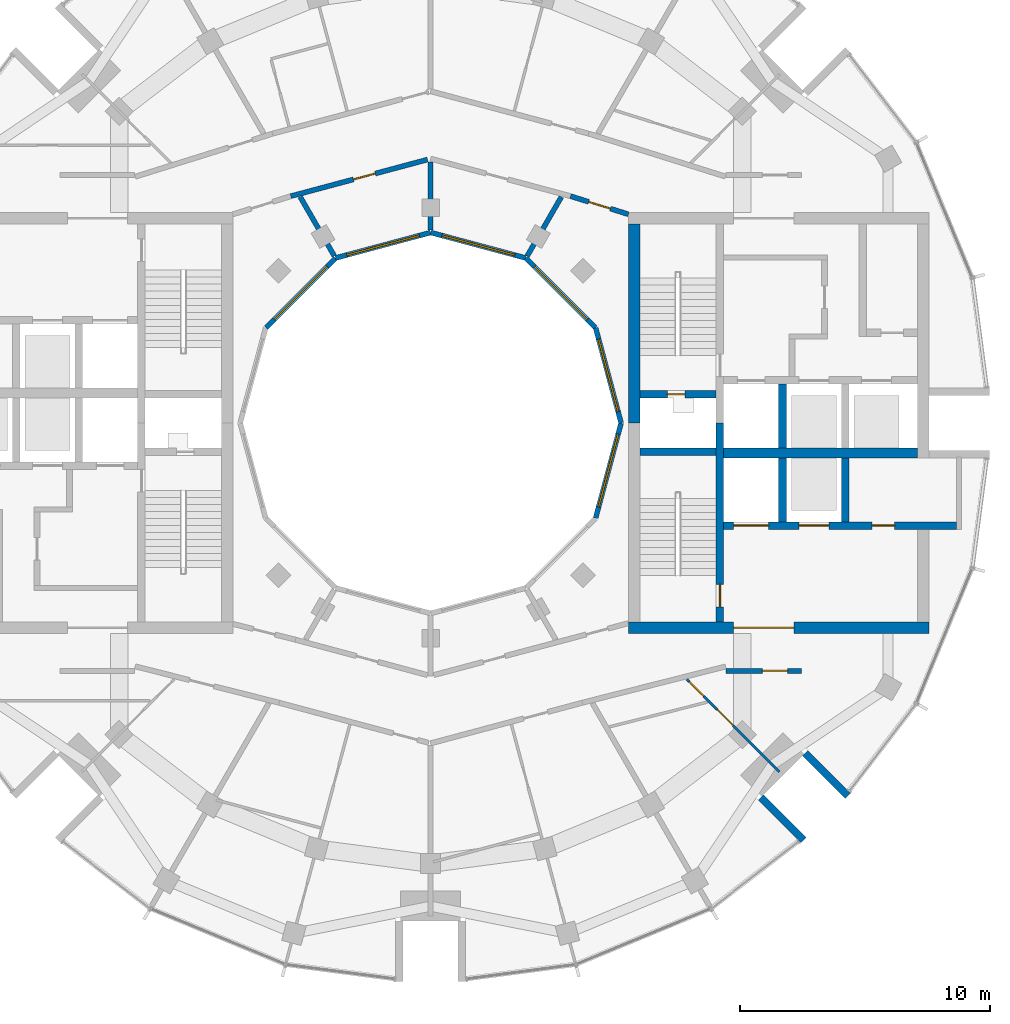
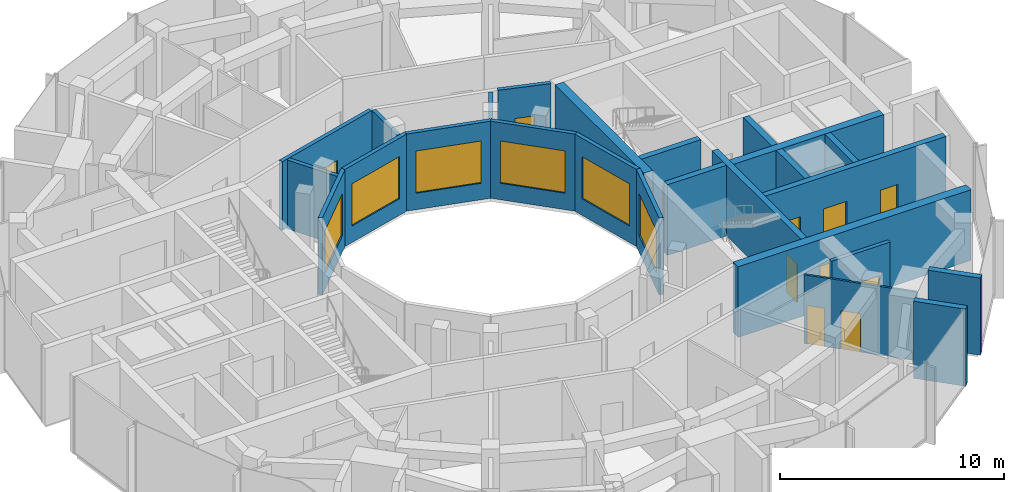
# One storey, part 10 of 14: 25 walls, 11 doors, 6 windows, 17 openings.
"""IFC4 building model written with IfcOpenShell, lengths in metres."""

from ifc_helpers import new_model, si_unit, direction, frame, frame_2d, origin, place, context, subcontext, project, spatial, rectangle, extrude, material, layer, layer_set, type_object, element, fill, save


model = new_model("IFC4")

# Units and contexts
model_context = context("Model", 3, precision=1e-05, world=origin(), true_north=direction((0.0, 1.0)))
body_context = subcontext(model_context, "Body", "Model", "MODEL_VIEW")
ifc_project = project(units=[si_unit("LENGTHUNIT", "METRE"), si_unit("AREAUNIT", "SQUARE_METRE"), si_unit("VOLUMEUNIT", "CUBIC_METRE"), si_unit("PLANEANGLEUNIT", "RADIAN"), si_unit("MASSUNIT", "GRAM", prefix="KILO")], contexts=[model_context])

# Site, building, storey
site_placement = place(None, origin())
site = spatial("IfcSite", under=ifc_project, at=site_placement, CompositionType="ELEMENT")
building_placement = place(site_placement, origin())
building = spatial("IfcBuilding", under=site, at=building_placement, Name="Torre Brocal", CompositionType="ELEMENT")
storey_placement = place(building_placement, frame((0.0, 0.0, 305.10009765625)))
storey = spatial("IfcBuildingStorey", under=building, at=storey_placement, Name="L70", CompositionType="ELEMENT", Elevation=305.10009765625)

# Wall, opening, door
ifc_material_1 = material(Name="Concrete C50", Category="concrete")
ifc_layer_1 = layer(ifc_material_1, 0.300048828125)
ifc_layer_set_1 = layer_set([ifc_layer_1], Name="Concrete C50")
wall_type_1 = type_object("IfcWallType", Name="CORE WALL 300 C50 UNDER 350 SLAB", PredefinedType="SHEAR", material=ifc_layer_set_1)
wall_1_placement = place(storey_placement, frame((91.550048828125, 67.050048828125, 0.0), z_axis=(0.0, 0.0, 1.0), x_axis=(0.0, 1.0, 0.0)))
wall_1 = element("IfcWall", 1, at=wall_1_placement, inside=storey, type_object=wall_type_1, Name="Wall CW300-50-S350", PredefinedType="SHEAR", context=body_context, shape_type="SweptSolid", body=[
    extrude(rectangle(XDim=7.949951171875, YDim=0.300048828125, at=frame_2d((3.97509765625, 0.0))), origin(), (0.0, 0.0, 1.0), 3.849853515625),
])
opening_1_placement = place(wall_1_placement, frame((0.60009765625, 0.0, 0.0)))
opening_1 = element("IfcOpeningElement", 2, at=opening_1_placement, cuts=wall_1, Name="Opening E-D03", PredefinedType="OPENING", context=body_context, shape_type="SweptSolid", body=[
    extrude(rectangle(XDim=0.89990234375, YDim=2.10009765625, at=frame_2d((0.449951171875, 1.050048828125))), frame((0.0, 0.159912109375, 0.0), z_axis=(0.0, -1.0, 0.0), x_axis=(1.0, 0.0, 0.0)), (0.0, 0.0, 1.0), 0.320068359375),
])
ifc_material_2 = material(Name="Steel A653", Category="steel")
door_type_1 = type_object("IfcDoorType", Name="STAIR DOOR FD120 900X2100", OperationType="SINGLE_SWING_RIGHT", PredefinedType="DOOR", material=ifc_material_2)
door_1_placement = place(opening_1_placement, origin())
door_1 = element("IfcDoor", 3, at=door_1_placement, inside=storey, type_object=door_type_1, Name="Door E-D03", OperationType="SINGLE_SWING_LEFT", OverallHeight=2.10009765625, OverallWidth=0.89990234375, PredefinedType="DOOR", context=body_context, shape_type="SweptSolid", body=[
    extrude(rectangle(XDim=0.89990234375, YDim=2.10009765625, at=frame_2d((0.449951171875, 1.050048828125))), frame((0.0, 0.02490234375, 0.0), z_axis=(0.0, -1.0, 0.0), x_axis=(1.0, 0.0, 0.0)), (0.0, 0.0, 1.0), 0.050048828125),
])
fill(opening_1, door_1)

wall_2_placement = place(storey_placement, frame((88.35009765625, 76.14990234375, 0.0), z_axis=(0.0, 0.0, 1.0), x_axis=(1.0, 0.0, 0.0)))
wall_2 = element("IfcWall", 4, at=wall_2_placement, inside=storey, type_object=wall_type_1, Name="Wall CW300-50-S350", PredefinedType="SHEAR", context=body_context, shape_type="SweptSolid", body=[
    extrude(rectangle(XDim=3.0498046875, YDim=0.300048828125, at=frame_2d((1.52490234375, 0.0))), origin(), (0.0, 0.0, 1.0), 3.849853515625),
])
opening_2_placement = place(wall_2_placement, frame((1.10009765625, 0.0, 0.0)))
opening_2 = element("IfcOpeningElement", 5, at=opening_2_placement, cuts=wall_2, Name="Opening E-D01", PredefinedType="OPENING", context=body_context, shape_type="SweptSolid", body=[
    extrude(rectangle(XDim=0.699951171875, YDim=2.0, at=frame_2d((0.35009765625, 1.0))), frame((0.0, 0.159912109375, 0.0), z_axis=(0.0, -1.0, 0.0), x_axis=(1.0, 0.0, 0.0)), (0.0, 0.0, 1.0), 0.320068359375),
])
ifc_material_3 = material(Name="Steel A653", Category="steel")
door_type_2 = type_object("IfcDoorType", Name="RISER DOOR FD120 700X2000", OperationType="SINGLE_SWING_LEFT", PredefinedType="DOOR", material=ifc_material_3)
door_2_placement = place(opening_2_placement, frame((0.699951171875, 0.0, 0.0), z_axis=(0.0, 0.0, 1.0), x_axis=(-1.0, 0.0, 0.0)))
door_2 = element("IfcDoor", 6, at=door_2_placement, inside=storey, type_object=door_type_2, Name="Door E-D01", OperationType="SINGLE_SWING_RIGHT", OverallHeight=2.0, OverallWidth=0.699951171875, PredefinedType="DOOR", context=body_context, shape_type="SweptSolid", body=[
    extrude(rectangle(XDim=0.699951171875, YDim=2.0, at=frame_2d((0.35009765625, 1.0))), frame((0.0, 0.02490234375, 0.0), z_axis=(0.0, -1.0, 0.0), x_axis=(1.0, 0.0, 0.0)), (0.0, 0.0, 1.0), 0.050048828125),
])
fill(opening_2, door_2)

# Wall
wall_3_placement = place(storey_placement, frame((88.35009765625, 73.85009765625, 0.0), z_axis=(0.0, 0.0, 1.0), x_axis=(1.0, 0.0, 0.0)))
element("IfcWall", 7, at=wall_3_placement, inside=storey, type_object=wall_type_1, Name="Wall CW300-50-S350", PredefinedType="SHEAR", context=body_context, shape_type="SweptSolid", body=[
    extrude(rectangle(XDim=3.0498046875, YDim=0.300048828125, at=frame_2d((1.52490234375, 0.0))), origin(), (0.0, 0.0, 1.0), 3.849853515625),
])

# Wall, openings, doors
wall_4_placement = place(storey_placement, frame((91.699951171875, 70.89990234375, 0.0), z_axis=(0.0, 0.0, 1.0), x_axis=(1.0, 0.0, 0.0)))
wall_4 = element("IfcWall", 8, at=wall_4_placement, inside=storey, type_object=wall_type_1, Name="Wall CW300-50-S350", PredefinedType="SHEAR", context=body_context, shape_type="SweptSolid", body=[
    extrude(rectangle(XDim=9.300048828125, YDim=0.300048828125, at=frame_2d((4.64990234375, 0.0))), origin(), (0.0, 0.0, 1.0), 3.849853515625),
])
opening_3_placement = place(wall_4_placement, frame((0.39990234375, 0.0, 0.0)))
opening_3 = element("IfcOpeningElement", 9, at=opening_3_placement, cuts=wall_4, Name="Opening LD14", PredefinedType="OPENING", context=body_context, shape_type="SweptSolid", body=[
    extrude(rectangle(XDim=1.39990234375, YDim=2.10009765625, at=frame_2d((0.699951171875, 1.050048828125))), frame((0.0, 0.159912109375, 0.0), z_axis=(0.0, -1.0, 0.0), x_axis=(1.0, 0.0, 0.0)), (0.0, 0.0, 1.0), 0.320068359375),
])
opening_4_placement = place(wall_4_placement, frame((3.0, 0.0, 0.0)))
opening_4 = element("IfcOpeningElement", 10, at=opening_4_placement, cuts=wall_4, Name="Opening LD12", PredefinedType="OPENING", context=body_context, shape_type="SweptSolid", body=[
    extrude(rectangle(XDim=1.199951171875, YDim=2.10009765625, at=frame_2d((0.60009765625, 1.050048828125))), frame((0.0, 0.159912109375, 0.0), z_axis=(0.0, -1.0, 0.0), x_axis=(1.0, 0.0, 0.0)), (0.0, 0.0, 1.0), 0.320068359375),
])
opening_5_placement = place(wall_4_placement, frame((5.925048828125, 0.0, 0.0)))
opening_5 = element("IfcOpeningElement", 11, at=opening_5_placement, cuts=wall_4, Name="Opening E-D04", PredefinedType="OPENING", context=body_context, shape_type="SweptSolid", body=[
    extrude(rectangle(XDim=0.89990234375, YDim=2.10009765625, at=frame_2d((0.449951171875, 1.050048828125))), frame((0.0, 0.159912109375, 0.0), z_axis=(0.0, -1.0, 0.0), x_axis=(1.0, 0.0, 0.0)), (0.0, 0.0, 1.0), 0.320068359375),
])
ifc_material_4 = material(Name="Stainless steel AISI 316", Category="steel")
door_type_3 = type_object("IfcDoorType", Name="LIFT LANDING DOOR 1200X2100", OperationType="DOUBLE_DOOR_SLIDING", PredefinedType="DOOR", material=ifc_material_4)
door_3_placement = place(opening_4_placement, origin())
door_3 = element("IfcDoor", 12, at=door_3_placement, inside=storey, type_object=door_type_3, Name="Door LD12", OperationType="DOUBLE_DOOR_SLIDING", OverallHeight=2.10009765625, OverallWidth=1.199951171875, PredefinedType="DOOR", context=body_context, shape_type="SweptSolid", body=[
    extrude(rectangle(XDim=1.199951171875, YDim=2.10009765625, at=frame_2d((0.60009765625, 1.050048828125))), frame((0.0, 0.02490234375, 0.0), z_axis=(0.0, -1.0, 0.0), x_axis=(1.0, 0.0, 0.0)), (0.0, 0.0, 1.0), 0.050048828125),
])
fill(opening_4, door_3)
ifc_material_5 = material(Name="Stainless steel AISI 316", Category="steel")
door_type_4 = type_object("IfcDoorType", Name="LIFT LANDING DOOR 1400X2100", OperationType="DOUBLE_DOOR_SLIDING", PredefinedType="DOOR", material=ifc_material_5)
door_4_placement = place(opening_3_placement, origin())
door_4 = element("IfcDoor", 13, at=door_4_placement, inside=storey, type_object=door_type_4, Name="Door LD14", OperationType="DOUBLE_DOOR_SLIDING", OverallHeight=2.10009765625, OverallWidth=1.39990234375, PredefinedType="DOOR", context=body_context, shape_type="SweptSolid", body=[
    extrude(rectangle(XDim=1.39990234375, YDim=2.10009765625, at=frame_2d((0.699951171875, 1.050048828125))), frame((0.0, 0.02490234375, 0.0), z_axis=(0.0, -1.0, 0.0), x_axis=(1.0, 0.0, 0.0)), (0.0, 0.0, 1.0), 0.050048828125),
])
fill(opening_3, door_4)
ifc_material_6 = material(Name="Steel A653", Category="steel")
door_type_5 = type_object("IfcDoorType", Name="ROOM DOOR FD30S 900X2100", OperationType="SINGLE_SWING_LEFT", PredefinedType="DOOR", material=ifc_material_6)
door_5_placement = place(opening_5_placement, origin())
door_5 = element("IfcDoor", 14, at=door_5_placement, inside=storey, type_object=door_type_5, Name="Door E-D04", OperationType="SINGLE_SWING_LEFT", OverallHeight=2.10009765625, OverallWidth=0.89990234375, PredefinedType="DOOR", context=body_context, shape_type="SweptSolid", body=[
    extrude(rectangle(XDim=0.89990234375, YDim=2.10009765625, at=frame_2d((0.449951171875, 1.050048828125))), frame((0.0, 0.02490234375, 0.0), z_axis=(0.0, -1.0, 0.0), x_axis=(1.0, 0.0, 0.0)), (0.0, 0.0, 1.0), 0.050048828125),
])
fill(opening_5, door_5)

# Walls
for number, where, z_axis, x_axis, name in (
    (15, (94.050048828125, 74.0, 0.0), (0.0, 0.0, 1.0), (0.0, 1.0, 0.0), "Wall CW300-50-S350"),
    (16, (94.050048828125, 71.050048828125, 0.0), (0.0, 0.0, 1.0), (0.0, 1.0, 0.0), "Wall CW300-50-S350"),
    (17, (96.550048828125, 71.050048828125, 0.0), (0.0, 0.0, 1.0), (0.0, 1.0, 0.0), "Wall CW300-50-S350"),
):
    element("IfcWall", number, at=place(storey_placement, frame(where, z_axis=z_axis, x_axis=x_axis)), inside=storey, type_object=wall_type_1, Name=name, PredefinedType="SHEAR", context=body_context, shape_type="SweptSolid", body=[
        extrude(rectangle(XDim=2.550048828125, YDim=0.300048828125, at=frame_2d((1.27490234375, 0.0))), origin(), (0.0, 0.0, 1.0), 3.849853515625),
    ])
ifc_material_7 = material(Name="Concrete C50", Category="concrete")
ifc_layer_2 = layer(ifc_material_7, 0.39990234375)
ifc_layer_set_2 = layer_set([ifc_layer_2], Name="Concrete C50")
wall_type_2 = type_object("IfcWallType", Name="CORE WALL 400 C50 UNDER 350 SLAB", PredefinedType="SHEAR", material=ifc_layer_set_2)
wall_5_placement = place(storey_placement, frame((91.699951171875, 73.800048828125, 0.0), z_axis=(0.0, 0.0, 1.0), x_axis=(1.0, 0.0, 0.0)))
element("IfcWall", 18, at=wall_5_placement, inside=storey, type_object=wall_type_2, Name="Wall CW400-50-S350", PredefinedType="SHEAR", context=body_context, shape_type="SweptSolid", body=[
    extrude(rectangle(XDim=7.75, YDim=0.39990234375, at=frame_2d((3.875, 0.0))), origin(), (0.0, 0.0, 1.0), 3.849853515625),
])

# Wall, opening, door
ifc_material_8 = material(Name="Concrete C50", Category="concrete")
ifc_layer_3 = layer(ifc_material_8, 0.449951171875)
ifc_layer_set_3 = layer_set([ifc_layer_3], Name="Concrete C50")
wall_type_3 = type_object("IfcWallType", Name="CORE WALL 450 C50 UNDER 350 SLAB", PredefinedType="SHEAR", material=ifc_layer_set_3)
wall_6_placement = place(storey_placement, frame((87.89990234375, 66.824951171875, 0.0), z_axis=(0.0, 0.0, 1.0), x_axis=(1.0, 0.0, 0.0)))
wall_6 = element("IfcWall", 19, at=wall_6_placement, inside=storey, type_object=wall_type_3, Name="Wall CW450-50-S350", PredefinedType="SHEAR", context=body_context, shape_type="SweptSolid", body=[
    extrude(rectangle(XDim=12.0, YDim=0.449951171875, at=frame_2d((6.0, 0.0))), origin(), (0.0, 0.0, 1.0), 3.849853515625),
])
opening_6_placement = place(wall_6_placement, frame((4.199951171875, 0.0, 0.0)))
opening_6 = element("IfcOpeningElement", 20, at=opening_6_placement, cuts=wall_6, Name="Opening E-D27", PredefinedType="OPENING", context=body_context, shape_type="SweptSolid", body=[
    extrude(rectangle(XDim=2.39990234375, YDim=2.39990234375, at=frame_2d((1.199951171875, 1.199951171875))), frame((0.0, 0.23486328125, 0.0), z_axis=(0.0, -1.0, 0.0), x_axis=(1.0, 0.0, 0.0)), (0.0, 0.0, 1.0), 0.469970703125),
])
ifc_material_9 = material(Name="Steel A653", Category="steel")
door_type_6 = type_object("IfcDoorType", Name="DOUBLE FIRE DOOR FD90 2400X2400", OperationType="DOUBLE_DOOR_SINGLE_SWING", PredefinedType="DOOR", material=ifc_material_9)
door_6_placement = place(opening_6_placement, origin())
door_6 = element("IfcDoor", 21, at=door_6_placement, inside=storey, type_object=door_type_6, Name="Door E-D27", OperationType="DOUBLE_DOOR_SINGLE_SWING", OverallHeight=2.39990234375, OverallWidth=2.39990234375, PredefinedType="DOOR", context=body_context, shape_type="SweptSolid", body=[
    extrude(rectangle(XDim=2.39990234375, YDim=2.39990234375, at=frame_2d((1.199951171875, 1.199951171875))), frame((0.0, 0.02490234375, 0.0), z_axis=(0.0, -1.0, 0.0), x_axis=(1.0, 0.0, 0.0)), (0.0, 0.0, 1.0), 0.050048828125),
])
fill(opening_6, door_6)

# Walls
wall_7_placement = place(storey_placement, frame((88.125, 75.0, 0.0), z_axis=(0.0, 0.0, 1.0), x_axis=(0.0, 1.0, 0.0)))
element("IfcWall", 22, at=wall_7_placement, inside=storey, type_object=wall_type_3, Name="Wall CW450-50-S350", PredefinedType="SHEAR", context=body_context, shape_type="SweptSolid", body=[
    extrude(rectangle(XDim=7.949951171875, YDim=0.449951171875, at=frame_2d((3.97509765625, 0.0))), origin(), (0.0, 0.0, 1.0), 3.849853515625),
])
ifc_material_10 = material(Name="Concrete C50", Category="concrete")
ifc_layer_4 = layer(ifc_material_10, 0.300048828125)
ifc_layer_set_4 = layer_set([ifc_layer_4], Name="Concrete C50")
wall_type_4 = type_object("IfcWallType", Name="NOTCH RETURN WALL 300 C50", PredefinedType="NOTDEFINED", material=ifc_layer_set_4)
for number, where, z_axis, x_axis, name in (
    (23, (93.1875, 60.044677734375, 0.0), (0.0, 0.0, 1.0), (0.707106781187, -0.707106781187, 0.0), "NOTCH RETURN WALL"),
    (24, (94.955322265625, 61.8125, 0.0), (0.0, 0.0, 1.0), (0.707106781187, -0.707106781187, 0.0), "NOTCH RETURN WALL"),
):
    element("IfcWall", number, at=place(storey_placement, frame(where, z_axis=z_axis, x_axis=x_axis)), inside=storey, type_object=wall_type_4, Name=name, PredefinedType="NOTDEFINED", context=body_context, shape_type="SweptSolid", body=[
        extrude(rectangle(XDim=2.415771484375, YDim=0.300048828125, at=frame_2d((1.2080078125, 0.0))), origin(), (0.0, 0.0, 1.0), 4.199951171875),
    ])

# Wall, openings, doors
ifc_material_11 = material(Name="Gypsum board", Category="Gypsum")
ifc_layer_5 = layer(ifc_material_11, 0.10009765625)
ifc_layer_set_5 = layer_set([ifc_layer_5], Name="Gypsum board")
wall_type_5 = type_object("IfcWallType", Name="PARTITION 100", PredefinedType="PARTITIONING", material=ifc_layer_set_5)
wall_8_placement = place(storey_placement, frame((90.23681640625, 64.7587890625, 0.0), z_axis=(0.0, 0.0, 1.0), x_axis=(0.706966449742, -0.707247084787, 0.0)))
wall_8 = element("IfcWall", 25, at=wall_8_placement, inside=storey, type_object=wall_type_5, Name="BATHROOM WALL", PredefinedType="PARTITIONING", context=body_context, shape_type="SweptSolid", body=[
    extrude(rectangle(XDim=5.2197265625, YDim=0.10009765625, at=frame_2d((2.60986328125, 0.0))), origin(), (0.0, 0.0, 1.0), 3.75),
])
opening_7_placement = place(wall_8_placement, frame((1.7021484375, 0.0, 0.0)))
opening_7 = element("IfcOpeningElement", 26, at=opening_7_placement, cuts=wall_8, Name="Opening N04-D18", PredefinedType="OPENING", context=body_context, shape_type="SweptSolid", body=[
    extrude(rectangle(XDim=0.89990234375, YDim=2.10009765625, at=frame_2d((0.449951171875, 1.050048828125))), frame((0.0, 0.06005859375, 0.0), z_axis=(0.0, -1.0, 0.0), x_axis=(1.0, 0.0, 0.0)), (0.0, 0.0, 1.0), 0.1201171875),
])
opening_8_placement = place(wall_8_placement, frame((0.138916015625, 0.0, 0.0)))
opening_8 = element("IfcOpeningElement", 27, at=opening_8_placement, cuts=wall_8, Name="Opening N04-D19", PredefinedType="OPENING", context=body_context, shape_type="SweptSolid", body=[
    extrude(rectangle(XDim=0.800048828125, YDim=2.10009765625, at=frame_2d((0.39990234375, 1.050048828125))), frame((0.0, 0.06005859375, 0.0), z_axis=(0.0, -1.0, 0.0), x_axis=(1.0, 0.0, 0.0)), (0.0, 0.0, 1.0), 0.1201171875),
])
ifc_material_12 = material(Name="Timber", Category="wood")
door_type_7 = type_object("IfcDoorType", Name="BATHROOM DOOR 800X2100", OperationType="SINGLE_SWING_LEFT", PredefinedType="DOOR", material=ifc_material_12)
door_7_placement = place(opening_8_placement, frame((0.800048828125, 0.0, 0.0), z_axis=(0.0, 0.0, 1.0), x_axis=(-1.0, 0.0, 0.0)))
door_7 = element("IfcDoor", 28, at=door_7_placement, inside=storey, type_object=door_type_7, Name="N04-D19", OperationType="SINGLE_SWING_RIGHT", OverallHeight=2.10009765625, OverallWidth=0.800048828125, PredefinedType="DOOR", context=body_context, shape_type="SweptSolid", body=[
    extrude(rectangle(XDim=0.800048828125, YDim=2.10009765625, at=frame_2d((0.39990234375, 1.050048828125))), frame((0.0, 0.02490234375, 0.0), z_axis=(0.0, -1.0, 0.0), x_axis=(1.0, 0.0, 0.0)), (0.0, 0.0, 1.0), 0.050048828125),
])
fill(opening_8, door_7)
ifc_material_13 = material(Name="Timber", Category="wood")
door_type_8 = type_object("IfcDoorType", Name="ROOM DOOR 900X2100", OperationType="SINGLE_SWING_LEFT", PredefinedType="DOOR", material=ifc_material_13)
door_8_placement = place(opening_7_placement, origin())
door_8 = element("IfcDoor", 29, at=door_8_placement, inside=storey, type_object=door_type_8, Name="N04-D18", OperationType="SINGLE_SWING_RIGHT", OverallHeight=2.10009765625, OverallWidth=0.89990234375, PredefinedType="DOOR", context=body_context, shape_type="SweptSolid", body=[
    extrude(rectangle(XDim=0.89990234375, YDim=2.10009765625, at=frame_2d((0.449951171875, 1.050048828125))), frame((0.0, 0.02490234375, 0.0), z_axis=(0.0, -1.0, 0.0), x_axis=(1.0, 0.0, 0.0)), (0.0, 0.0, 1.0), 0.050048828125),
])
fill(opening_7, door_8)

# Wall, opening, door
ifc_material_14 = material(Name="Gypsum board", Category="Gypsum")
ifc_layer_6 = layer(ifc_material_14, 0.199951171875)
ifc_layer_set_6 = layer_set([ifc_layer_6], Name="Gypsum board")
wall_type_6 = type_object("IfcWallType", Name="PARTITION 200 EI60", PredefinedType="PARTITIONING", material=ifc_layer_set_6)
wall_9_placement = place(storey_placement, frame((74.4130859375, 84.056884765625, 0.0), z_axis=(0.0, 0.0, 1.0), x_axis=(0.965972135939, 0.258646153246, 0.0)))
wall_9 = element("IfcWall", 30, at=wall_9_placement, inside=storey, type_object=wall_type_6, Name="CORRIDOR WALL", PredefinedType="PARTITIONING", context=body_context, shape_type="SweptSolid", body=[
    extrude(rectangle(XDim=5.654052734375, YDim=0.199951171875, at=frame_2d((2.8271484375, 0.0))), origin(), (0.0, 0.0, 1.0), 3.75),
])
opening_9_placement = place(wall_9_placement, frame((2.5927734375, 0.0, 0.0)))
opening_9 = element("IfcOpeningElement", 31, at=opening_9_placement, cuts=wall_9, Name="Opening N04-D15", PredefinedType="OPENING", context=body_context, shape_type="SweptSolid", body=[
    extrude(rectangle(XDim=0.89990234375, YDim=2.10009765625, at=frame_2d((0.449951171875, 1.050048828125))), frame((0.0, 0.10986328125, 0.0), z_axis=(0.0, -1.0, 0.0), x_axis=(1.0, 0.0, 0.0)), (0.0, 0.0, 1.0), 0.219970703125),
])
door_9_placement = place(opening_9_placement, frame((0.89990234375, 0.0, 0.0), z_axis=(0.0, 0.0, 1.0), x_axis=(-1.0, 0.0, 0.0)))
door_9 = element("IfcDoor", 32, at=door_9_placement, inside=storey, type_object=door_type_8, Name="N04-D15", OperationType="SINGLE_SWING_RIGHT", OverallHeight=2.10009765625, OverallWidth=0.89990234375, PredefinedType="DOOR", context=body_context, shape_type="SweptSolid", body=[
    extrude(rectangle(XDim=0.89990234375, YDim=2.10009765625, at=frame_2d((0.449951171875, 1.050048828125))), frame((0.0, 0.02490234375, 0.0), z_axis=(0.0, -1.0, 0.0), x_axis=(1.0, 0.0, 0.0)), (0.0, 0.0, 1.0), 0.050048828125),
])
fill(opening_9, door_9)

# Walls
wall_10_placement = place(storey_placement, frame((74.789306640625, 84.028076171875, 0.0), z_axis=(0.0, 0.0, 1.0), x_axis=(0.499838769631, -0.866118470172, 0.0)))
element("IfcWall", 33, at=wall_10_placement, inside=storey, type_object=wall_type_6, Name="PARTY PARTITION", PredefinedType="PARTITIONING", context=body_context, shape_type="SweptSolid", body=[
    extrude(rectangle(XDim=2.7255859375, YDim=0.199951171875, at=frame_2d((1.36279296875, 0.0))), origin(), (0.0, 0.0, 1.0), 3.75),
])
wall_11_placement = place(storey_placement, frame((80.0, 82.698974609375, 0.0), z_axis=(0.0, 0.0, 1.0), x_axis=(0.0, 1.0, 0.0)))
element("IfcWall", 34, at=wall_11_placement, inside=storey, type_object=wall_type_6, Name="PARTY PARTITION", PredefinedType="PARTITIONING", context=body_context, shape_type="SweptSolid", body=[
    extrude(rectangle(XDim=2.72509765625, YDim=0.199951171875, at=frame_2d((1.362548828125, 0.0))), origin(), (0.0, 0.0, 1.0), 3.75),
])
wall_12_placement = place(storey_placement, frame((83.8525390625, 81.6650390625, 0.0), z_axis=(0.0, 0.0, 1.0), x_axis=(0.50035818211, 0.865818508462, 0.0)))
element("IfcWall", 35, at=wall_12_placement, inside=storey, type_object=wall_type_6, Name="PARTY PARTITION", PredefinedType="PARTITIONING", context=body_context, shape_type="SweptSolid", body=[
    extrude(rectangle(XDim=2.7255859375, YDim=0.199951171875, at=frame_2d((1.36279296875, 0.0))), origin(), (0.0, 0.0, 1.0), 3.75),
])

# Wall, opening, door
wall_13_placement = place(storey_placement, frame((85.5869140625, 84.056884765625, 0.0), z_axis=(0.0, 0.0, 1.0), x_axis=(0.954239513179, -0.299043393987, 0.0)))
wall_13 = element("IfcWall", 36, at=wall_13_placement, inside=storey, type_object=wall_type_6, Name="CORRIDOR WALL", PredefinedType="PARTITIONING", context=body_context, shape_type="SweptSolid", body=[
    extrude(rectangle(XDim=2.423828125, YDim=0.199951171875, at=frame_2d((1.2119140625, 0.0))), origin(), (0.0, 0.0, 1.0), 3.75),
])
opening_10_placement = place(wall_13_placement, frame((0.761962890625, 0.0, 0.0)))
opening_10 = element("IfcOpeningElement", 37, at=opening_10_placement, cuts=wall_13, Name="Opening N04-D13", PredefinedType="OPENING", context=body_context, shape_type="SweptSolid", body=[
    extrude(rectangle(XDim=0.89990234375, YDim=2.10009765625, at=frame_2d((0.449951171875, 1.050048828125))), frame((0.0, 0.10986328125, 0.0), z_axis=(0.0, -1.0, 0.0), x_axis=(1.0, 0.0, 0.0)), (0.0, 0.0, 1.0), 0.219970703125),
])
door_10_placement = place(opening_10_placement, frame((0.89990234375, 0.0, 0.0), z_axis=(0.0, 0.0, 1.0), x_axis=(-1.0, 0.0, 0.0)))
door_10 = element("IfcDoor", 38, at=door_10_placement, inside=storey, type_object=door_type_8, Name="N04-D13", OperationType="SINGLE_SWING_LEFT", OverallHeight=2.10009765625, OverallWidth=0.89990234375, PredefinedType="DOOR", context=body_context, shape_type="SweptSolid", body=[
    extrude(rectangle(XDim=0.89990234375, YDim=2.10009765625, at=frame_2d((0.449951171875, 1.050048828125))), frame((0.0, 0.02490234375, 0.0), z_axis=(0.0, -1.0, 0.0), x_axis=(1.0, 0.0, 0.0)), (0.0, 0.0, 1.0), 0.050048828125),
])
fill(opening_10, door_10)

wall_14_placement = place(storey_placement, frame((91.800048828125, 65.10009765625, 0.0), z_axis=(0.0, 0.0, 1.0), x_axis=(1.0, 0.0, 0.0)))
wall_14 = element("IfcWall", 39, at=wall_14_placement, inside=storey, type_object=wall_type_6, Name="FLAT ENTRANCE WALL", PredefinedType="PARTITIONING", context=body_context, shape_type="SweptSolid", body=[
    extrude(rectangle(XDim=3.0, YDim=0.199951171875, at=frame_2d((1.5, 0.0))), origin(), (0.0, 0.0, 1.0), 3.75),
])
opening_11_placement = place(wall_14_placement, frame((1.449951171875, 0.0, 0.0)))
opening_11 = element("IfcOpeningElement", 40, at=opening_11_placement, cuts=wall_14, Name="Opening N04-D17", PredefinedType="OPENING", context=body_context, shape_type="SweptSolid", body=[
    extrude(rectangle(XDim=1.0, YDim=2.10009765625, at=frame_2d((0.5, 1.050048828125))), frame((0.0, 0.10986328125, 0.0), z_axis=(0.0, -1.0, 0.0), x_axis=(1.0, 0.0, 0.0)), (0.0, 0.0, 1.0), 0.219970703125),
])
ifc_material_15 = material(Name="Timber", Category="wood")
door_type_9 = type_object("IfcDoorType", Name="FLAT ENTRY DOOR FD30S 1000X2100", OperationType="SINGLE_SWING_RIGHT", PredefinedType="DOOR", material=ifc_material_15)
door_11_placement = place(opening_11_placement, frame((1.0, 0.0, 0.0), z_axis=(0.0, 0.0, 1.0), x_axis=(-1.0, 0.0, 0.0)))
door_11 = element("IfcDoor", 41, at=door_11_placement, inside=storey, type_object=door_type_9, Name="N04-D17", OperationType="SINGLE_SWING_RIGHT", OverallHeight=2.10009765625, OverallWidth=1.0, PredefinedType="DOOR", context=body_context, shape_type="SweptSolid", body=[
    extrude(rectangle(XDim=1.0, YDim=2.10009765625, at=frame_2d((0.5, 1.050048828125))), frame((0.0, 0.02490234375, 0.0), z_axis=(0.0, -1.0, 0.0), x_axis=(1.0, 0.0, 0.0)), (0.0, 0.0, 1.0), 0.050048828125),
])
fill(opening_11, door_11)

# Wall, opening, window
ifc_material_16 = material(Name="Concrete C40", Category="concrete")
ifc_layer_7 = layer(ifc_material_16, 0.199951171875)
ifc_layer_set_7 = layer_set([ifc_layer_7], Name="Concrete C40")
wall_type_7 = type_object("IfcWallType", Name="WELL FACADE WALL 200", PredefinedType="NOTDEFINED", material=ifc_layer_set_7)
wall_15_placement = place(storey_placement, frame((87.603515625, 75.0, 0.0), z_axis=(0.0, 0.0, 1.0), x_axis=(-0.258789828301, 0.965933654434, 0.0)))
wall_15 = element("IfcWall", 42, at=wall_15_placement, inside=storey, type_object=wall_type_7, Name="WELL FACADE WALL", PredefinedType="NOTDEFINED", context=body_context, shape_type="SweptSolid", body=[
    extrude(rectangle(XDim=3.935791015625, YDim=0.199951171875, at=frame_2d((1.9677734375, 0.0))), origin(), (0.0, 0.0, 1.0), 4.199951171875),
])
opening_12_placement = place(wall_15_placement, frame((0.468017578125, 0.0, 0.89990234375)))
opening_12 = element("IfcOpeningElement", 43, at=opening_12_placement, cuts=wall_15, Name="Opening W1", PredefinedType="OPENING", context=body_context, shape_type="SweptSolid", body=[
    extrude(rectangle(XDim=3.0, YDim=2.300048828125, at=frame_2d((1.5, 1.14990234375))), frame((0.0, 0.10986328125, 0.0), z_axis=(0.0, -1.0, 0.0), x_axis=(1.0, 0.0, 0.0)), (0.0, 0.0, 1.0), 0.219970703125),
])
ifc_material_17 = material(Name="Aluminium and glass", Category="aluminium")
window_type = type_object("IfcWindowType", Name="WELL WINDOW 3000X2300", PartitioningType="SINGLE_PANEL", PredefinedType="WINDOW", material=ifc_material_17)
window_1_placement = place(opening_12_placement, origin())
window_1 = element("IfcWindow", 44, at=window_1_placement, inside=storey, type_object=window_type, Name="WELL WINDOW 3000X2300", OverallHeight=2.300048828125, OverallWidth=3.0, PartitioningType="SINGLE_PANEL", PredefinedType="WINDOW", context=body_context, shape_type="SweptSolid", body=[
    extrude(rectangle(XDim=3.0, YDim=2.300048828125, at=frame_2d((1.5, 1.14990234375))), frame((0.0, 0.030029296875, 0.0), z_axis=(0.0, -1.0, 0.0), x_axis=(1.0, 0.0, 0.0)), (0.0, 0.0, 1.0), 0.06005859375),
])
fill(opening_12, window_1)

wall_16_placement = place(storey_placement, frame((86.5849609375, 78.8017578125, 0.0), z_axis=(0.0, 0.0, 1.0), x_axis=(-0.707106781187, 0.707106781187, 0.0)))
wall_16 = element("IfcWall", 45, at=wall_16_placement, inside=storey, type_object=wall_type_7, Name="WELL FACADE WALL", PredefinedType="NOTDEFINED", context=body_context, shape_type="SweptSolid", body=[
    extrude(rectangle(XDim=3.93603515625, YDim=0.199951171875, at=frame_2d((1.968017578125, 0.0))), origin(), (0.0, 0.0, 1.0), 4.199951171875),
])
opening_13_placement = place(wall_16_placement, frame((0.468017578125, 0.0, 0.89990234375)))
opening_13 = element("IfcOpeningElement", 46, at=opening_13_placement, cuts=wall_16, Name="Opening W1", PredefinedType="OPENING", context=body_context, shape_type="SweptSolid", body=[
    extrude(rectangle(XDim=3.0, YDim=2.300048828125, at=frame_2d((1.5, 1.14990234375))), frame((0.0, 0.10986328125, 0.0), z_axis=(0.0, -1.0, 0.0), x_axis=(1.0, 0.0, 0.0)), (0.0, 0.0, 1.0), 0.219970703125),
])
window_2_placement = place(opening_13_placement, origin())
window_2 = element("IfcWindow", 47, at=window_2_placement, inside=storey, type_object=window_type, Name="WELL WINDOW 3000X2300", OverallHeight=2.300048828125, OverallWidth=3.0, PartitioningType="SINGLE_PANEL", PredefinedType="WINDOW", context=body_context, shape_type="SweptSolid", body=[
    extrude(rectangle(XDim=3.0, YDim=2.300048828125, at=frame_2d((1.5, 1.14990234375))), frame((0.0, 0.030029296875, 0.0), z_axis=(0.0, -1.0, 0.0), x_axis=(1.0, 0.0, 0.0)), (0.0, 0.0, 1.0), 0.06005859375),
])
fill(opening_13, window_2)

wall_17_placement = place(storey_placement, frame((83.8017578125, 81.5849609375, 0.0), z_axis=(0.0, 0.0, 1.0), x_axis=(-0.965933654434, 0.258789828301, 0.0)))
wall_17 = element("IfcWall", 48, at=wall_17_placement, inside=storey, type_object=wall_type_7, Name="WELL FACADE WALL", PredefinedType="NOTDEFINED", context=body_context, shape_type="SweptSolid", body=[
    extrude(rectangle(XDim=3.935791015625, YDim=0.199951171875, at=frame_2d((1.9677734375, 0.0))), origin(), (0.0, 0.0, 1.0), 4.199951171875),
])
opening_14_placement = place(wall_17_placement, frame((0.468017578125, 0.0, 0.89990234375)))
opening_14 = element("IfcOpeningElement", 49, at=opening_14_placement, cuts=wall_17, Name="Opening W1", PredefinedType="OPENING", context=body_context, shape_type="SweptSolid", body=[
    extrude(rectangle(XDim=3.0, YDim=2.300048828125, at=frame_2d((1.5, 1.14990234375))), frame((0.0, 0.10986328125, 0.0), z_axis=(0.0, -1.0, 0.0), x_axis=(1.0, 0.0, 0.0)), (0.0, 0.0, 1.0), 0.219970703125),
])
window_3_placement = place(opening_14_placement, origin())
window_3 = element("IfcWindow", 50, at=window_3_placement, inside=storey, type_object=window_type, Name="WELL WINDOW 3000X2300", OverallHeight=2.300048828125, OverallWidth=3.0, PartitioningType="SINGLE_PANEL", PredefinedType="WINDOW", context=body_context, shape_type="SweptSolid", body=[
    extrude(rectangle(XDim=3.0, YDim=2.300048828125, at=frame_2d((1.5, 1.14990234375))), frame((0.0, 0.030029296875, 0.0), z_axis=(0.0, -1.0, 0.0), x_axis=(1.0, 0.0, 0.0)), (0.0, 0.0, 1.0), 0.06005859375),
])
fill(opening_14, window_3)

wall_18_placement = place(storey_placement, frame((80.0, 82.603515625, 0.0), z_axis=(0.0, 0.0, 1.0), x_axis=(-0.965933654434, -0.258789828301, 0.0)))
wall_18 = element("IfcWall", 51, at=wall_18_placement, inside=storey, type_object=wall_type_7, Name="WELL FACADE WALL", PredefinedType="NOTDEFINED", context=body_context, shape_type="SweptSolid", body=[
    extrude(rectangle(XDim=3.935791015625, YDim=0.199951171875, at=frame_2d((1.9677734375, 0.0))), origin(), (0.0, 0.0, 1.0), 4.199951171875),
])
opening_15_placement = place(wall_18_placement, frame((0.468017578125, 0.0, 0.89990234375)))
opening_15 = element("IfcOpeningElement", 52, at=opening_15_placement, cuts=wall_18, Name="Opening W1", PredefinedType="OPENING", context=body_context, shape_type="SweptSolid", body=[
    extrude(rectangle(XDim=3.0, YDim=2.300048828125, at=frame_2d((1.5, 1.14990234375))), frame((0.0, 0.10986328125, 0.0), z_axis=(0.0, -1.0, 0.0), x_axis=(1.0, 0.0, 0.0)), (0.0, 0.0, 1.0), 0.219970703125),
])
window_4_placement = place(opening_15_placement, origin())
window_4 = element("IfcWindow", 53, at=window_4_placement, inside=storey, type_object=window_type, Name="WELL WINDOW 3000X2300", OverallHeight=2.300048828125, OverallWidth=3.0, PartitioningType="SINGLE_PANEL", PredefinedType="WINDOW", context=body_context, shape_type="SweptSolid", body=[
    extrude(rectangle(XDim=3.0, YDim=2.300048828125, at=frame_2d((1.5, 1.14990234375))), frame((0.0, 0.030029296875, 0.0), z_axis=(0.0, -1.0, 0.0), x_axis=(1.0, 0.0, 0.0)), (0.0, 0.0, 1.0), 0.06005859375),
])
fill(opening_15, window_4)

wall_19_placement = place(storey_placement, frame((76.1982421875, 81.5849609375, 0.0), z_axis=(0.0, 0.0, 1.0), x_axis=(-0.707106781187, -0.707106781187, 0.0)))
wall_19 = element("IfcWall", 54, at=wall_19_placement, inside=storey, type_object=wall_type_7, Name="WELL FACADE WALL", PredefinedType="NOTDEFINED", context=body_context, shape_type="SweptSolid", body=[
    extrude(rectangle(XDim=3.93603515625, YDim=0.199951171875, at=frame_2d((1.968017578125, 0.0))), origin(), (0.0, 0.0, 1.0), 4.199951171875),
])
opening_16_placement = place(wall_19_placement, frame((0.468017578125, 0.0, 0.89990234375)))
opening_16 = element("IfcOpeningElement", 55, at=opening_16_placement, cuts=wall_19, Name="Opening W1", PredefinedType="OPENING", context=body_context, shape_type="SweptSolid", body=[
    extrude(rectangle(XDim=3.0, YDim=2.300048828125, at=frame_2d((1.5, 1.14990234375))), frame((0.0, 0.10986328125, 0.0), z_axis=(0.0, -1.0, 0.0), x_axis=(1.0, 0.0, 0.0)), (0.0, 0.0, 1.0), 0.219970703125),
])
window_5_placement = place(opening_16_placement, origin())
window_5 = element("IfcWindow", 56, at=window_5_placement, inside=storey, type_object=window_type, Name="WELL WINDOW 3000X2300", OverallHeight=2.300048828125, OverallWidth=3.0, PartitioningType="SINGLE_PANEL", PredefinedType="WINDOW", context=body_context, shape_type="SweptSolid", body=[
    extrude(rectangle(XDim=3.0, YDim=2.300048828125, at=frame_2d((1.5, 1.14990234375))), frame((0.0, 0.030029296875, 0.0), z_axis=(0.0, -1.0, 0.0), x_axis=(1.0, 0.0, 0.0)), (0.0, 0.0, 1.0), 0.06005859375),
])
fill(opening_16, window_5)

wall_20_placement = place(storey_placement, frame((86.5849609375, 71.1982421875, 0.0), z_axis=(0.0, 0.0, 1.0), x_axis=(0.258789828301, 0.965933654434, 0.0)))
wall_20 = element("IfcWall", 57, at=wall_20_placement, inside=storey, type_object=wall_type_7, Name="WELL FACADE WALL", PredefinedType="NOTDEFINED", context=body_context, shape_type="SweptSolid", body=[
    extrude(rectangle(XDim=3.935791015625, YDim=0.199951171875, at=frame_2d((1.9677734375, 0.0))), origin(), (0.0, 0.0, 1.0), 4.199951171875),
])
opening_17_placement = place(wall_20_placement, frame((0.468017578125, 0.0, 0.89990234375)))
opening_17 = element("IfcOpeningElement", 58, at=opening_17_placement, cuts=wall_20, Name="Opening W1", PredefinedType="OPENING", context=body_context, shape_type="SweptSolid", body=[
    extrude(rectangle(XDim=3.0, YDim=2.300048828125, at=frame_2d((1.5, 1.14990234375))), frame((0.0, 0.10986328125, 0.0), z_axis=(0.0, -1.0, 0.0), x_axis=(1.0, 0.0, 0.0)), (0.0, 0.0, 1.0), 0.219970703125),
])
window_6_placement = place(opening_17_placement, origin())
window_6 = element("IfcWindow", 59, at=window_6_placement, inside=storey, type_object=window_type, Name="WELL WINDOW 3000X2300", OverallHeight=2.300048828125, OverallWidth=3.0, PartitioningType="SINGLE_PANEL", PredefinedType="WINDOW", context=body_context, shape_type="SweptSolid", body=[
    extrude(rectangle(XDim=3.0, YDim=2.300048828125, at=frame_2d((1.5, 1.14990234375))), frame((0.0, 0.030029296875, 0.0), z_axis=(0.0, -1.0, 0.0), x_axis=(1.0, 0.0, 0.0)), (0.0, 0.0, 1.0), 0.06005859375),
])
fill(opening_17, window_6)

save(model, "model.ifc")
